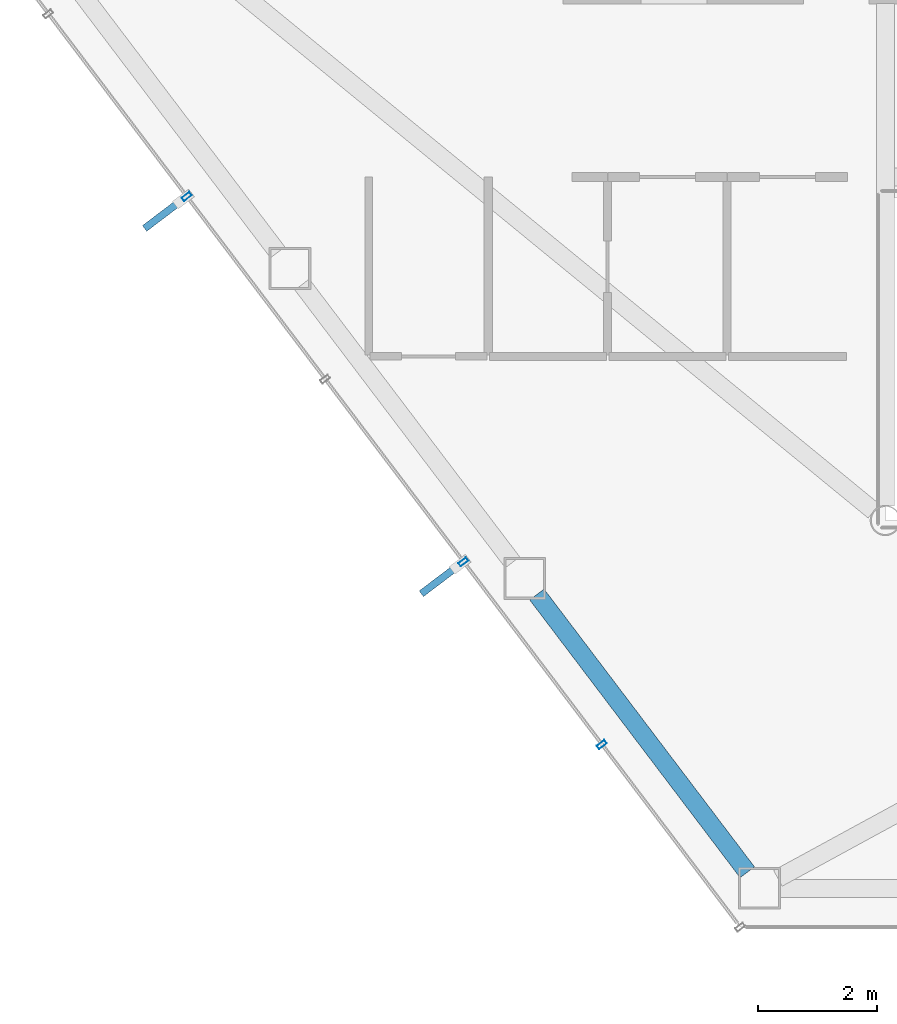
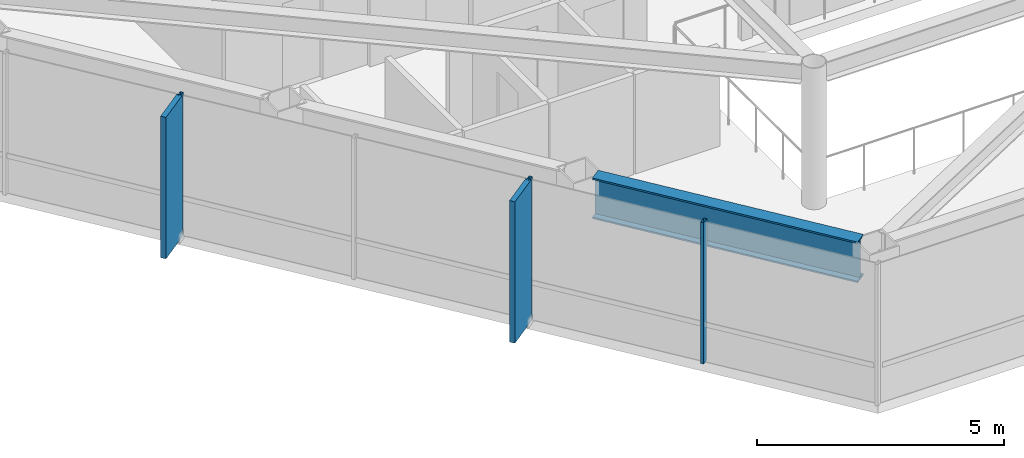
# One storey, part 2 of 28: 5 members, 1 beam, 1 element without a shape of its own.
"""IFC4 building model written with IfcOpenShell, lengths in metres."""

from ifc_helpers import new_model, si_unit, direction, frame, origin, origin_2d, place, context, subcontext, project, spatial, rectangle, hollow_rectangle, i_section, extrude, material, layer, layer_set, material_profile, profile_set, type_object, element, aggregate, save


model = new_model("IFC4")

# Units and contexts
model_context = context("Model", 3, precision=1e-05, world=origin(), true_north=direction((0.0, 1.0)))
body_context = subcontext(model_context, "Body", "Model", "MODEL_VIEW")
ifc_project = project(units=[si_unit("LENGTHUNIT", "METRE"), si_unit("AREAUNIT", "SQUARE_METRE"), si_unit("VOLUMEUNIT", "CUBIC_METRE"), si_unit("PLANEANGLEUNIT", "RADIAN"), si_unit("MASSUNIT", "GRAM", prefix="KILO")], contexts=[model_context])

# Site, building, storey
site_placement = place(None, origin())
site = spatial("IfcSite", under=ifc_project, at=site_placement, CompositionType="ELEMENT")
building_placement = place(site_placement, origin())
building = spatial("IfcBuilding", under=site, at=building_placement, Name="Zarrinselat Tower", CompositionType="ELEMENT")
storey_placement = place(building_placement, frame((0.0, 0.0, 187.0)))
storey = spatial("IfcBuildingStorey", under=building, at=storey_placement, Name="L46", CompositionType="ELEMENT", Elevation=187.0)

# Beam
ifc_material_1 = material(Name="Steel S460M", Category="steel")
ifc_material_profile_1 = material_profile(ifc_material_1, i_section(OverallWidth=0.302001953125, OverallDepth=1.008056640625, WebThickness=0.02099609375, FlangeThickness=0.0400390625, at=origin_2d()), Name="HEM 1000")
ifc_profile_set_1 = profile_set([ifc_material_profile_1], Name="Steel S460M")
beam_type = type_object("IfcBeamType", Name="BM-HEM1000", PredefinedType="BEAM", material=ifc_profile_set_1)
beam_placement = place(storey_placement, frame((27.964111328125, 23.160888671875, 2.99609375), z_axis=(0.603841579957, -0.797104350958, 0.0), x_axis=(0.797104350958, 0.603841579957, 0.0)))
element("IfcBeam", 1, at=beam_placement, inside=storey, type_object=beam_type, Name="L46 Perimeter Spandrel Girder SP09", PredefinedType="BEAM", context=body_context, shape_type="SweptSolid", body=[
    extrude(i_section(OverallWidth=0.302001953125, OverallDepth=1.008056640625, WebThickness=0.02099609375, FlangeThickness=0.0400390625, at=origin_2d()), origin(), (0.0, 0.0, 1.0), 5.836181640625),
])

# Curtain wall, members
ifc_material_2 = material(Name="Extruded Aluminium Alloy EN AW-6063 T6", Category="aluminium")
ifc_layer = layer(ifc_material_2, 0.175048828125)
ifc_layer_set = layer_set([ifc_layer], Name="Extruded Aluminium Alloy EN AW-6063 T6")
curtain_wall_type = type_object("IfcCurtainWallType", Name="CWS-HTL", PredefinedType="NOTDEFINED", material=ifc_layer_set)
curtain_wall_placement = place(storey_placement, origin())
curtain_wall = element("IfcCurtainWall", 2, at=curtain_wall_placement, inside=storey, type_object=curtain_wall_type, Name="L46 Unitised Curtain Wall CW-L46-E03", PredefinedType="NOTDEFINED")
ifc_material_3 = material(Name="Extruded Aluminium Alloy EN AW-6063 T6", Category="aluminium")
ifc_material_profile_2 = material_profile(ifc_material_3, hollow_rectangle(XDim=0.070068359375, YDim=0.159912109375, WallThickness=0.00390625, at=origin_2d()), Name="RHS 160x70x4")
ifc_profile_set_2 = profile_set([ifc_material_profile_2], Name="Extruded Aluminium Alloy EN AW-6063 T6")
member_type_1 = type_object("IfcMemberType", Name="MEM-CW-MUL2", PredefinedType="MULLION", material=ifc_profile_set_2)
member_1_placement = place(storey_placement, frame((22.099609375, 29.82568359375, 0.0), z_axis=(0.0, 0.0, 1.0), x_axis=(0.603857114659, -0.7970925825, 0.0)))
member_1 = element("IfcMember", 3, at=member_1_placement, type_object=member_type_1, Name="CW-L46-E03 Mullion 3", PredefinedType="MULLION", context=body_context, shape_type="SweptSolid", body=[
    extrude(hollow_rectangle(XDim=0.070068359375, YDim=0.159912109375, WallThickness=0.00390625, at=origin_2d()), origin(), (0.0, 0.0, 1.0), 3.5),
])
member_2_placement = place(storey_placement, frame((26.734375, 23.70751953125, 0.0), z_axis=(0.0, 0.0, 1.0), x_axis=(0.603857114659, -0.7970925825, 0.0)))
member_2 = element("IfcMember", 4, at=member_2_placement, type_object=member_type_1, Name="CW-L46-E03 Mullion 5", PredefinedType="MULLION", context=body_context, shape_type="SweptSolid", body=[
    extrude(hollow_rectangle(XDim=0.070068359375, YDim=0.159912109375, WallThickness=0.00390625, at=origin_2d()), origin(), (0.0, 0.0, 1.0), 3.5),
])
member_3_placement = place(storey_placement, frame((29.052001953125, 20.6484375, 0.0), z_axis=(0.0, 0.0, 1.0), x_axis=(0.603857114659, -0.7970925825, 0.0)))
member_3 = element("IfcMember", 5, at=member_3_placement, type_object=member_type_1, Name="CW-L46-E03 Mullion 6", PredefinedType="MULLION", context=body_context, shape_type="SweptSolid", body=[
    extrude(hollow_rectangle(XDim=0.070068359375, YDim=0.159912109375, WallThickness=0.00390625, at=origin_2d()), origin(), (0.0, 0.0, 1.0), 3.5),
])
ifc_material_4 = material(Name="Honed Cream Travertine Stone", Category="masonry")
ifc_material_profile_3 = material_profile(ifc_material_4, rectangle(XDim=0.1201171875, YDim=0.85009765625, at=origin_2d()), Name="FIN 850x120")
ifc_profile_set_3 = profile_set([ifc_material_profile_3], Name="Honed Cream Travertine Stone")
member_type_2 = type_object("IfcMemberType", Name="MEM-STONE-FIN", PredefinedType="USERDEFINED", material=ifc_profile_set_3)
member_4_placement = place(storey_placement, frame((21.73291015625, 29.5478515625, 0.0), z_axis=(0.0, 0.0, 1.0), x_axis=(-0.603857114659, 0.7970925825, 0.0)))
member_4 = element("IfcMember", 6, at=member_4_placement, type_object=member_type_2, Name="L46 Stone Shading Fin CW-L46-E03-03", ObjectType="FIN", PredefinedType="USERDEFINED", context=body_context, shape_type="SweptSolid", body=[
    extrude(rectangle(XDim=0.1201171875, YDim=0.85009765625, at=origin_2d()), origin(), (0.0, 0.0, 1.0), 3.5),
])
member_5_placement = place(storey_placement, frame((26.36767578125, 23.4296875, 0.0), z_axis=(0.0, 0.0, 1.0), x_axis=(-0.603857114659, 0.7970925825, 0.0)))
member_5 = element("IfcMember", 7, at=member_5_placement, type_object=member_type_2, Name="L46 Stone Shading Fin CW-L46-E03-05", ObjectType="FIN", PredefinedType="USERDEFINED", context=body_context, shape_type="SweptSolid", body=[
    extrude(rectangle(XDim=0.1201171875, YDim=0.85009765625, at=origin_2d()), origin(), (0.0, 0.0, 1.0), 3.5),
])
aggregate(curtain_wall, [member_1, member_4, member_2, member_5, member_3])

save(model, "model.ifc")
